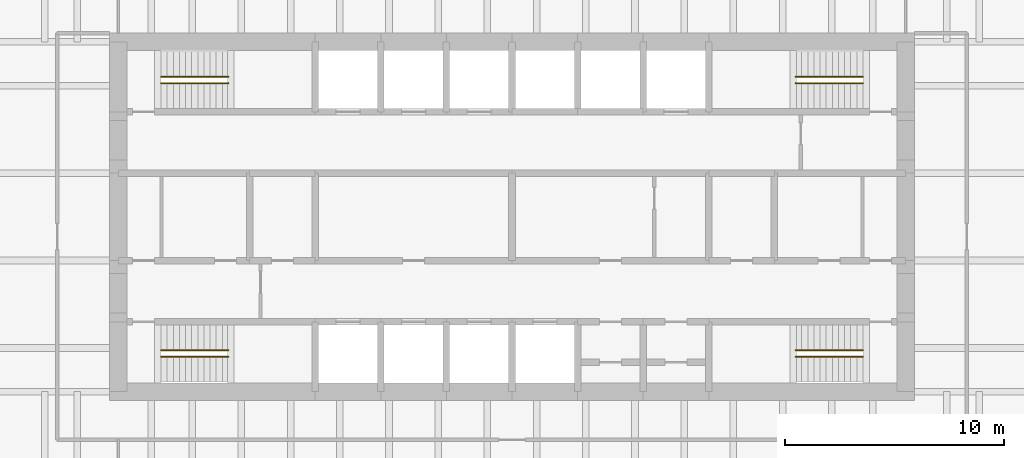
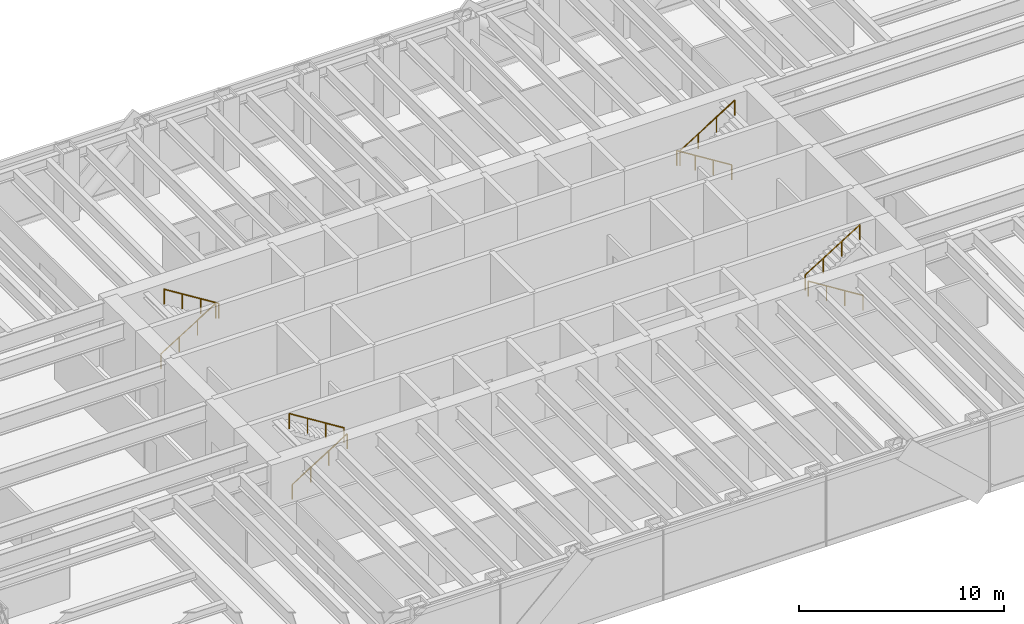
# One storey, part 14 of 14: 8 railings.
"""IFC4 building model written with IfcOpenShell, lengths in metres."""

import ifcopenshell
import ifcopenshell.guid

model = None  # the IFC model being written
_history = None  # IfcOwnerHistory: only IFC2X3 demands one
_inside = {}  # id of a spatial element -> (the spatial element, [elements in it])
_under = {}  # id of a project, library or spatial element -> (it, [spatial elements below it])
_declared = {}  # id of a project -> (the project, [libraries it declares])
_typed = {}  # id of a type object -> (the type object, [elements of that type])
_made_of = {}  # id of a material, layer set ... -> (it, [elements and type objects made of it])


def new_model(schema):
    """Start an empty IFC model of exactly this schema.

    Asked for "IFC4X3", IfcOpenShell would pick the latest addendum, in which some entities
    have other attributes; the version numbers below select the first issue.
    IFC2X3 requires an IfcOwnerHistory on every rooted entity: one is made here for all.
    """
    global model, _history
    if schema == "IFC4X3":
        model = ifcopenshell.file(schema_version=(4, 3, 0, 0))
    else:
        model = ifcopenshell.file(schema=schema)
    _inside.clear()
    _under.clear()
    _declared.clear()
    _typed.clear()
    _made_of.clear()
    _history = None
    if model.schema == "IFC2X3":
        org = make("IfcOrganization", Name="unknown")
        user = make(
            "IfcPersonAndOrganization",
            ThePerson=make("IfcPerson", FamilyName="unknown"),
            TheOrganization=org,
        )
        app = make(
            "IfcApplication",
            ApplicationDeveloper=org,
            Version="unknown",
            ApplicationFullName="unknown",
            ApplicationIdentifier="unknown",
        )
        _history = make(
            "IfcOwnerHistory",
            OwningUser=user,
            OwningApplication=app,
            ChangeAction="ADDED",
            CreationDate=0,
        )
    return model


def make(cls, **values):
    """One entity of the class cls with the attributes given. An attribute that is None is left unset."""
    return model.create_entity(
        cls, **{name: value for name, value in values.items() if value is not None}
    )


def rooted(cls, **values):
    """An entity with a GlobalId (a new one), such as an element, a storey or a relation."""
    return make(cls, GlobalId=ifcopenshell.guid.new(), OwnerHistory=_history, **values)


def si_unit(unit_type, name, prefix=None):
    """IfcSIUnit, for example si_unit("LENGTHUNIT", "METRE", prefix="MILLI")."""
    return make("IfcSIUnit", UnitType=unit_type, Prefix=prefix, Name=name)


def assignment(units):
    """IfcUnitAssignment: the units of a project."""
    return None if units is None else make("IfcUnitAssignment", Units=units)


def point(xyz):
    """IfcCartesianPoint."""
    return None if xyz is None else make("IfcCartesianPoint", Coordinates=xyz)


def direction(xyz):
    """IfcDirection."""
    return None if xyz is None else make("IfcDirection", DirectionRatios=xyz)


def frame(location, z_axis=None, x_axis=None):
    """IfcAxis2Placement3D, a coordinate frame: its origin and axes. An axis left out is left unset."""
    return make(
        "IfcAxis2Placement3D",
        Location=point(location),
        Axis=direction(z_axis),
        RefDirection=direction(x_axis),
    )


def frame_2d(location, x_axis=None):
    """IfcAxis2Placement2D, a coordinate frame in the plane: its origin and x axis."""
    return make(
        "IfcAxis2Placement2D", Location=point(location), RefDirection=direction(x_axis)
    )


def origin():
    """The frame at (0, 0, 0) with its axes left unset."""
    return frame((0.0, 0.0, 0.0))


def origin_2d():
    """The frame at (0, 0) in the plane with its x axis left unset."""
    return frame_2d((0.0, 0.0))


def place(relative_to, where):
    """IfcLocalPlacement: puts the frame where relative to a parent placement (None: the world)."""
    return make(
        "IfcLocalPlacement", PlacementRelTo=relative_to, RelativePlacement=where
    )


def context(
    kind, dimensions, precision=None, world=None, true_north=None, identifier=None
):
    """IfcGeometricRepresentationContext, for example the 3D "Model" context."""
    return make(
        "IfcGeometricRepresentationContext",
        ContextIdentifier=identifier,
        ContextType=kind,
        CoordinateSpaceDimension=dimensions,
        Precision=precision,
        WorldCoordinateSystem=world,
        TrueNorth=true_north,
    )


def subcontext(parent, identifier, kind, view, scale=None):
    """IfcGeometricRepresentationSubContext, for example "Body" below "Model"."""
    return make(
        "IfcGeometricRepresentationSubContext",
        ContextIdentifier=identifier,
        ContextType=kind,
        ParentContext=parent,
        TargetScale=scale,
        TargetView=view,
    )


def project(units=None, contexts=None):
    """IfcProject with its units and contexts."""
    return rooted(
        "IfcProject",
        Name="project",
        RepresentationContexts=contexts,
        UnitsInContext=assignment(units),
    )


def spatial(cls, under=None, at=None, **own):
    """A site, building, storey or space (cls), placed at a placement, below another one or the project."""
    s = rooted(cls, ObjectPlacement=at, **own)
    if under is not None:
        _under.setdefault(under.id(), (under, []))[1].append(s)
    return s


def profile(cls, at=None, kind="AREA", **sizes):
    """A parametric profile (cls). Its sizes go by their IFC names, for example OverallWidth=200.0."""
    return make(cls, ProfileType=kind, Position=at, **sizes)


def circle(**sizes):
    """IfcCircleProfileDef."""
    return profile("IfcCircleProfileDef", **sizes)


def extrude(swept, where, along, depth):
    """IfcExtrudedAreaSolid: the profile swept, set in the frame where, extruded along a direction by depth."""
    return make(
        "IfcExtrudedAreaSolid",
        SweptArea=swept,
        Position=where,
        ExtrudedDirection=direction(along),
        Depth=depth,
    )


def shape(context_of_items, identifier, shape_type, items):
    """IfcShapeRepresentation: the items that make up one representation, for example the "Body"."""
    return make(
        "IfcShapeRepresentation",
        ContextOfItems=context_of_items,
        RepresentationIdentifier=identifier,
        RepresentationType=shape_type,
        Items=items,
    )


def material(Name=None, Category=None):
    """IfcMaterial."""
    return make("IfcMaterial", Name=Name, Category=Category)


def made_of(thing, what):
    """Note that an element or type object is made of a material, layer set ...; save() writes the relation."""
    if what is not None:
        _made_of.setdefault(what.id(), (what, []))[1].append(thing)
    return thing


def type_object(cls, material=None, **own):
    """A type object (cls), such as IfcWallType, which elements share."""
    return made_of(rooted(cls, **own), material)


def element(
    cls,
    number,
    at=None,
    inside=None,
    cuts=None,
    type_object=None,
    material=None,
    context=None,
    identifier="Body",
    shape_type=None,
    held_by="IfcProductDefinitionShape",
    body=None,
    shapes=None,
    **own,
):
    """One element of the class cls, such as IfcWall. Its Tag is "e" and its number.

    at: its placement. inside: the storey or other place that contains it. cuts: it is an
    opening in that element (IfcRelVoidsElement). A single representation is given by context,
    identifier, shape_type and body (its items); several are given by shapes. held_by: the class
    of the entity that holds the representations. save() writes the other relations.
    """
    e = rooted(cls, Tag="e%d" % number, ObjectPlacement=at, **own)
    if body is not None:
        shapes = [shape(context, identifier, shape_type, body)]
    if shapes is not None:
        e.Representation = make(held_by, Representations=shapes)
    if inside is not None:
        _inside.setdefault(inside.id(), (inside, []))[1].append(e)
    if cuts is not None:
        rooted(
            "IfcRelVoidsElement", RelatingBuildingElement=cuts, RelatedOpeningElement=e
        )
    if type_object is not None:
        _typed.setdefault(type_object.id(), (type_object, []))[1].append(e)
    return made_of(e, material)


def aggregate(whole, parts):
    """IfcRelAggregates: a whole, such as a stair, and the parts it consists of."""
    return rooted("IfcRelAggregates", RelatingObject=whole, RelatedObjects=parts)


def save(model, path):
    """Write the relations noted so far, then the file.

    IfcRelAggregates (storeys below a building ...), IfcRelContainedInSpatialStructure (elements
    in a storey), IfcRelDefinesByType, IfcRelAssociatesMaterial and IfcRelDeclares: one each for
    every whole, place, type object, material and project.
    """
    for whole, parts in _under.values():
        aggregate(whole, parts)
    for where, things in _inside.values():
        rooted(
            "IfcRelContainedInSpatialStructure",
            RelatedElements=things,
            RelatingStructure=where,
        )
    for kind, things in _typed.values():
        rooted("IfcRelDefinesByType", RelatedObjects=things, RelatingType=kind)
    for what, things in _made_of.values():
        rooted("IfcRelAssociatesMaterial", RelatedObjects=things, RelatingMaterial=what)
    for by, libraries in _declared.values():
        rooted("IfcRelDeclares", RelatingContext=by, RelatedDefinitions=libraries)
    model.write(path)


model = new_model("IFC4")

# Units and contexts
model_context = context("Model", 3, precision=1e-05, world=origin(), true_north=direction((0.0, 1.0)))
body_context = subcontext(model_context, "Body", "Model", "MODEL_VIEW")
ifc_project = project(units=[si_unit("LENGTHUNIT", "METRE"), si_unit("AREAUNIT", "SQUARE_METRE"), si_unit("VOLUMEUNIT", "CUBIC_METRE"), si_unit("PLANEANGLEUNIT", "RADIAN"), si_unit("MASSUNIT", "GRAM", prefix="KILO")], contexts=[model_context])

# Site, building, storey
site_placement = place(None, origin())
site = spatial("IfcSite", under=ifc_project, at=site_placement, CompositionType="ELEMENT")
building_placement = place(site_placement, origin())
building = spatial("IfcBuilding", under=site, at=building_placement, Name="Rheinbord Bourse Tower", CompositionType="ELEMENT")
storey_placement = place(building_placement, frame((0.0, 0.0, 202.60009765625)))
storey = spatial("IfcBuildingStorey", under=building, at=storey_placement, Name="L45", CompositionType="ELEMENT", Elevation=202.60009765625)

# Railings
ifc_material = material(Name="Steel handrail", Category="steel")
railing_type = type_object("IfcRailingType", Name="HANDRAIL 900", PredefinedType="HANDRAIL", material=ifc_material)
railing_1_placement = place(storey_placement, frame((19.949951171875, 17.60009765625, 0.1748046875)))
element("IfcRailing", 1, at=railing_1_placement, inside=storey, type_object=railing_type, Name="Handrail", PredefinedType="HANDRAIL", context=body_context, shape_type="SweptSolid", body=[
    extrude(circle(Radius=0.02392578125, at=origin_2d()), frame((0.0, 0.0, 0.8759765625), z_axis=(0.847998304005, 0.0, 0.529998940003), x_axis=(0.0, 1.0, 0.0)), (0.0, 0.0, 1.0), 3.632080078125),
    extrude(circle(Radius=0.02099609375, at=origin_2d()), origin(), (0.0, 0.0, 1.0), 0.851806640625),
    extrude(circle(Radius=0.02099609375, at=origin_2d()), frame((1.026611328125, 0.0, 0.6416015625)), (0.0, 0.0, 1.0), 0.851806640625),
    extrude(circle(Radius=0.02099609375, at=origin_2d()), frame((2.053466796875, 0.0, 1.283447265625)), (0.0, 0.0, 1.0), 0.851806640625),
    extrude(circle(Radius=0.02099609375, at=origin_2d()), frame((3.080078125, 0.0, 1.925048828125)), (0.0, 0.0, 1.0), 0.851806640625),
])
railing_2_placement = place(storey_placement, frame((23.030029296875, 17.89990234375, 2.27490234375)))
element("IfcRailing", 2, at=railing_2_placement, inside=storey, type_object=railing_type, Name="Handrail", PredefinedType="HANDRAIL", context=body_context, shape_type="SweptSolid", body=[
    extrude(circle(Radius=0.02392578125, at=origin_2d()), frame((0.0, 0.0, 0.8759765625), z_axis=(-0.847998304005, 0.0, 0.529998940003), x_axis=(0.0, -1.0, 0.0)), (0.0, 0.0, 1.0), 3.632080078125),
    extrude(circle(Radius=0.02099609375, at=origin_2d()), origin(), (0.0, 0.0, 1.0), 0.851806640625),
    extrude(circle(Radius=0.02099609375, at=origin_2d()), frame((-1.026611328125, 0.0, 0.6416015625)), (0.0, 0.0, 1.0), 0.851806640625),
    extrude(circle(Radius=0.02099609375, at=origin_2d()), frame((-2.053466796875, 0.0, 1.283447265625)), (0.0, 0.0, 1.0), 0.851806640625),
    extrude(circle(Radius=0.02099609375, at=origin_2d()), frame((-3.080078125, 0.0, 1.925048828125)), (0.0, 0.0, 1.0), 0.851806640625),
])
railing_3_placement = place(storey_placement, frame((19.949951171875, 30.39990234375, 0.1748046875)))
element("IfcRailing", 3, at=railing_3_placement, inside=storey, type_object=railing_type, Name="Handrail", PredefinedType="HANDRAIL", context=body_context, shape_type="SweptSolid", body=[
    extrude(circle(Radius=0.02392578125, at=origin_2d()), frame((0.0, 0.0, 0.8759765625), z_axis=(0.847998304005, 0.0, 0.529998940003), x_axis=(0.0, 1.0, 0.0)), (0.0, 0.0, 1.0), 3.632080078125),
    extrude(circle(Radius=0.02099609375, at=origin_2d()), origin(), (0.0, 0.0, 1.0), 0.851806640625),
    extrude(circle(Radius=0.02099609375, at=origin_2d()), frame((1.026611328125, 0.0, 0.6416015625)), (0.0, 0.0, 1.0), 0.851806640625),
    extrude(circle(Radius=0.02099609375, at=origin_2d()), frame((2.053466796875, 0.0, 1.283447265625)), (0.0, 0.0, 1.0), 0.851806640625),
    extrude(circle(Radius=0.02099609375, at=origin_2d()), frame((3.080078125, 0.0, 1.925048828125)), (0.0, 0.0, 1.0), 0.851806640625),
])
for number, where, name in (
    (4, (23.030029296875, 30.10009765625, 2.27490234375), "Handrail"),
    (5, (52.050048828125, 17.60009765625, 0.1748046875), "Handrail"),
):
    element("IfcRailing", number, at=place(storey_placement, frame(where)), inside=storey, type_object=railing_type, Name=name, PredefinedType="HANDRAIL", context=body_context, shape_type="SweptSolid", body=[
        extrude(circle(Radius=0.02392578125, at=origin_2d()), frame((0.0, 0.0, 0.8759765625), z_axis=(-0.847998304005, 0.0, 0.529998940003), x_axis=(0.0, -1.0, 0.0)), (0.0, 0.0, 1.0), 3.632080078125),
        extrude(circle(Radius=0.02099609375, at=origin_2d()), origin(), (0.0, 0.0, 1.0), 0.851806640625),
        extrude(circle(Radius=0.02099609375, at=origin_2d()), frame((-1.026611328125, 0.0, 0.6416015625)), (0.0, 0.0, 1.0), 0.851806640625),
        extrude(circle(Radius=0.02099609375, at=origin_2d()), frame((-2.053466796875, 0.0, 1.283447265625)), (0.0, 0.0, 1.0), 0.851806640625),
        extrude(circle(Radius=0.02099609375, at=origin_2d()), frame((-3.080078125, 0.0, 1.925048828125)), (0.0, 0.0, 1.0), 0.851806640625),
    ])
railing_4_placement = place(storey_placement, frame((48.969970703125, 17.89990234375, 2.27490234375)))
element("IfcRailing", 6, at=railing_4_placement, inside=storey, type_object=railing_type, Name="Handrail", PredefinedType="HANDRAIL", context=body_context, shape_type="SweptSolid", body=[
    extrude(circle(Radius=0.02392578125, at=origin_2d()), frame((0.0, 0.0, 0.8759765625), z_axis=(0.847998304005, 0.0, 0.529998940003), x_axis=(0.0, 1.0, 0.0)), (0.0, 0.0, 1.0), 3.632080078125),
    extrude(circle(Radius=0.02099609375, at=origin_2d()), origin(), (0.0, 0.0, 1.0), 0.851806640625),
    extrude(circle(Radius=0.02099609375, at=origin_2d()), frame((1.026611328125, 0.0, 0.6416015625)), (0.0, 0.0, 1.0), 0.851806640625),
    extrude(circle(Radius=0.02099609375, at=origin_2d()), frame((2.053466796875, 0.0, 1.283447265625)), (0.0, 0.0, 1.0), 0.851806640625),
    extrude(circle(Radius=0.02099609375, at=origin_2d()), frame((3.080078125, 0.0, 1.925048828125)), (0.0, 0.0, 1.0), 0.851806640625),
])
railing_5_placement = place(storey_placement, frame((52.050048828125, 30.39990234375, 0.1748046875)))
element("IfcRailing", 7, at=railing_5_placement, inside=storey, type_object=railing_type, Name="Handrail", PredefinedType="HANDRAIL", context=body_context, shape_type="SweptSolid", body=[
    extrude(circle(Radius=0.02392578125, at=origin_2d()), frame((0.0, 0.0, 0.8759765625), z_axis=(-0.847998304005, 0.0, 0.529998940003), x_axis=(0.0, -1.0, 0.0)), (0.0, 0.0, 1.0), 3.632080078125),
    extrude(circle(Radius=0.02099609375, at=origin_2d()), origin(), (0.0, 0.0, 1.0), 0.851806640625),
    extrude(circle(Radius=0.02099609375, at=origin_2d()), frame((-1.026611328125, 0.0, 0.6416015625)), (0.0, 0.0, 1.0), 0.851806640625),
    extrude(circle(Radius=0.02099609375, at=origin_2d()), frame((-2.053466796875, 0.0, 1.283447265625)), (0.0, 0.0, 1.0), 0.851806640625),
    extrude(circle(Radius=0.02099609375, at=origin_2d()), frame((-3.080078125, 0.0, 1.925048828125)), (0.0, 0.0, 1.0), 0.851806640625),
])
railing_6_placement = place(storey_placement, frame((48.969970703125, 30.10009765625, 2.27490234375)))
element("IfcRailing", 8, at=railing_6_placement, inside=storey, type_object=railing_type, Name="Handrail", PredefinedType="HANDRAIL", context=body_context, shape_type="SweptSolid", body=[
    extrude(circle(Radius=0.02392578125, at=origin_2d()), frame((0.0, 0.0, 0.8759765625), z_axis=(0.847998304005, 0.0, 0.529998940003), x_axis=(0.0, 1.0, 0.0)), (0.0, 0.0, 1.0), 3.632080078125),
    extrude(circle(Radius=0.02099609375, at=origin_2d()), origin(), (0.0, 0.0, 1.0), 0.851806640625),
    extrude(circle(Radius=0.02099609375, at=origin_2d()), frame((1.026611328125, 0.0, 0.6416015625)), (0.0, 0.0, 1.0), 0.851806640625),
    extrude(circle(Radius=0.02099609375, at=origin_2d()), frame((2.053466796875, 0.0, 1.283447265625)), (0.0, 0.0, 1.0), 0.851806640625),
    extrude(circle(Radius=0.02099609375, at=origin_2d()), frame((3.080078125, 0.0, 1.925048828125)), (0.0, 0.0, 1.0), 0.851806640625),
])

save(model, "model.ifc")
